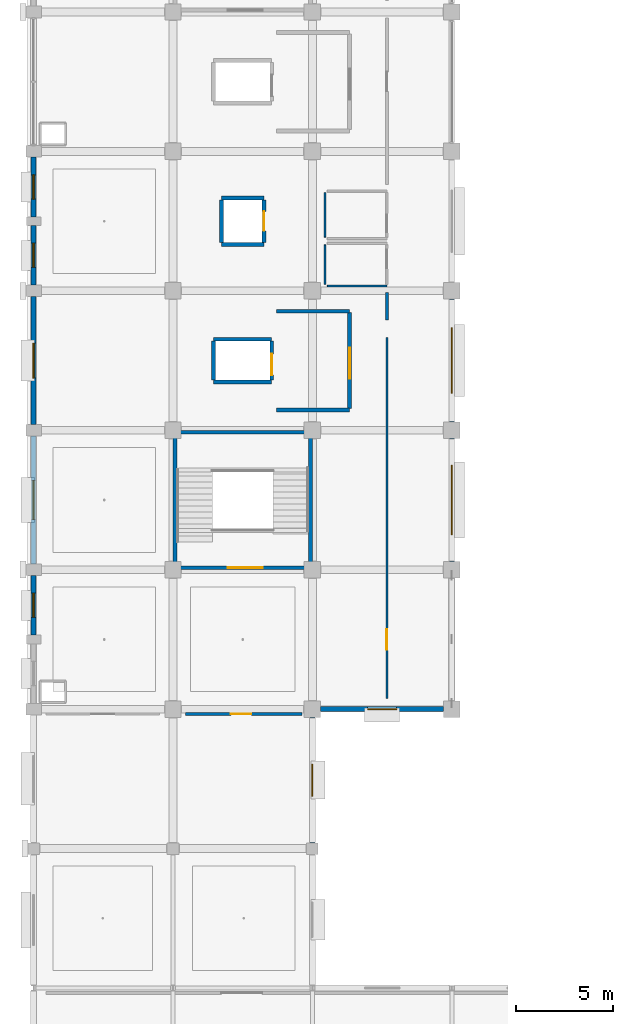
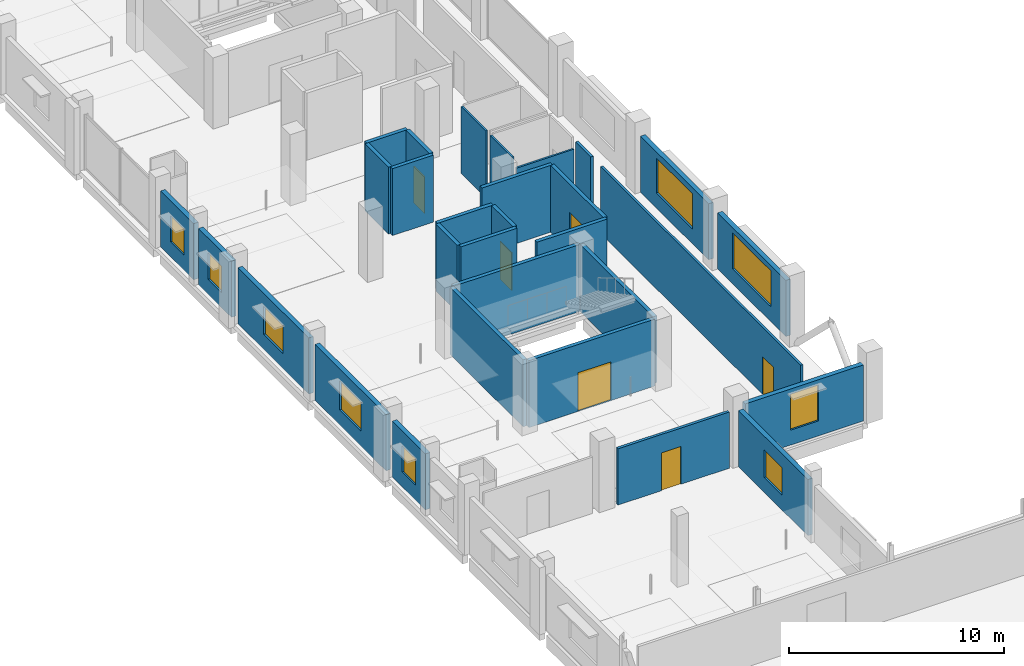
# One storey, part 77 of 107: 30 walls, 9 windows, 6 doors, 15 openings.
"""IFC4 building model written with IfcOpenShell, lengths in metres."""

from ifc_helpers import new_model, si_unit, direction, frame, frame_2d, origin, place, context, subcontext, project, spatial, rectangle, extrude, material, layer, layer_set, type_object, element, fill, save


model = new_model("IFC4")

# Units and contexts
model_context = context("Model", 3, precision=1e-05, world=origin(), true_north=direction((0.0, 1.0)))
body_context = subcontext(model_context, "Body", "Model", "MODEL_VIEW")
ifc_project = project(units=[si_unit("LENGTHUNIT", "METRE"), si_unit("AREAUNIT", "SQUARE_METRE"), si_unit("VOLUMEUNIT", "CUBIC_METRE"), si_unit("PLANEANGLEUNIT", "RADIAN"), si_unit("MASSUNIT", "GRAM", prefix="KILO")], contexts=[model_context])

# Site, building, storey
site_placement = place(None, origin())
site = spatial("IfcSite", under=ifc_project, at=site_placement, CompositionType="ELEMENT")
building_placement = place(site_placement, origin())
building = spatial("IfcBuilding", under=site, at=building_placement, Name="Kangsadwip Square Police Headquarters", CompositionType="ELEMENT")
storey_placement = place(building_placement, frame((0.0, 0.0, 5.39990234375)))
storey = spatial("IfcBuildingStorey", under=building, at=storey_placement, Name="L01", CompositionType="ELEMENT", Elevation=5.39990234375)

# Wall, opening, door
ifc_material_1 = material(Name="Fire-rated double gypsum board acoustic stud partition", Category="masonry")
ifc_layer_1 = layer(ifc_material_1, 0.1201171875)
ifc_layer_set_1 = layer_set([ifc_layer_1], Name="Fire-rated double gypsum board acoustic stud partition")
wall_type_1 = type_object("IfcWallType", Name="AcousticPartition120", PredefinedType="PARTITIONING", material=ifc_layer_set_1)
wall_1_placement = place(storey_placement, frame((18.25, 36.550048828125, 0.0), z_axis=(0.0, 0.0, 1.0), x_axis=(0.0, 1.0, 0.0)))
wall_1 = element("IfcWall", 1, at=wall_1_placement, inside=storey, type_object=wall_type_1, Name="Interior Wall WI-L01-0737", PredefinedType="PARTITIONING", context=body_context, shape_type="SweptSolid", body=[
    extrude(rectangle(XDim=18.64990234375, YDim=0.1201171875, at=frame_2d((9.324951171875, 0.0))), origin(), (0.0, 0.0, 1.0), 3.81005859375),
])
opening_1_placement = place(wall_1_placement, frame((2.512939453125, 0.0, 0.0)))
opening_1 = element("IfcOpeningElement", 2, at=opening_1_placement, cuts=wall_1, Name="Opening ID-10A", PredefinedType="OPENING", context=body_context, shape_type="SweptSolid", body=[
    extrude(rectangle(XDim=1.050048828125, YDim=2.14990234375, at=frame_2d((0.52490234375, 1.074951171875))), frame((0.0, 0.070068359375, 0.0), z_axis=(0.0, -1.0, 0.0), x_axis=(1.0, 0.0, 0.0)), (0.0, 0.0, 1.0), 0.14013671875),
])
ifc_material_2 = material(Name="Solid-core seasoned teak hardwood architectural door", Category="wood")
door_type_1 = type_object("IfcDoorType", Name="OfficeDoor1050x2150", OperationType="NOTDEFINED", PredefinedType="DOOR", material=ifc_material_2)
door_1_placement = place(opening_1_placement, origin())
door_1 = element("IfcDoor", 3, at=door_1_placement, inside=storey, type_object=door_type_1, Name="Interior Door ID-L01-0167", OperationType="SINGLE_SWING_RIGHT", OverallHeight=2.14990234375, OverallWidth=1.050048828125, PredefinedType="DOOR", context=body_context, shape_type="SweptSolid", body=[
    extrude(rectangle(XDim=1.050048828125, YDim=2.14990234375, at=frame_2d((0.52490234375, 1.074951171875))), frame((0.0, 0.02490234375, 0.0), z_axis=(0.0, -1.0, 0.0), x_axis=(1.0, 0.0, 0.0)), (0.0, 0.0, 1.0), 0.050048828125),
])
fill(opening_1, door_1)

# Wall
ifc_material_3 = material(Name="Autoclaved aerated concrete blockwork masonry", Category="masonry")
ifc_layer_2 = layer(ifc_material_3, 0.14990234375)
ifc_layer_set_2 = layer_set([ifc_layer_2], Name="Autoclaved aerated concrete blockwork masonry")
wall_type_2 = type_object("IfcWallType", Name="BlockPartition150", PredefinedType="PARTITIONING", material=ifc_layer_set_2)
wall_2_placement = place(storey_placement, frame((18.25, 56.10009765625, 0.0), z_axis=(0.0, 0.0, 1.0), x_axis=(0.0, 1.0, 0.0)))
element("IfcWall", 4, at=wall_2_placement, inside=storey, type_object=wall_type_2, Name="Interior Wall WI-L01-0739", PredefinedType="PARTITIONING", context=body_context, shape_type="SweptSolid", body=[
    extrude(rectangle(XDim=1.419921875, YDim=0.14990234375, at=frame_2d((0.7099609375, 0.0))), origin(), (0.0, 0.0, 1.0), 3.81005859375),
])

# Wall, opening, door
wall_3_placement = place(storey_placement, frame((7.85009765625, 35.75, 0.0), z_axis=(0.0, 0.0, 1.0), x_axis=(1.0, 0.0, 0.0)))
wall_3 = element("IfcWall", 5, at=wall_3_placement, inside=storey, type_object=wall_type_2, Name="Interior Wall WI-L01-0746", PredefinedType="PARTITIONING", context=body_context, shape_type="SweptSolid", body=[
    extrude(rectangle(XDim=6.0, YDim=0.14990234375, at=frame_2d((3.0, 0.0))), origin(), (0.0, 0.0, 1.0), 3.2001953125),
])
opening_2_placement = place(wall_3_placement, frame((2.343994140625, 0.0, 0.0)))
opening_2 = element("IfcOpeningElement", 6, at=opening_2_placement, cuts=wall_3, Name="Opening ID-10A", PredefinedType="OPENING", context=body_context, shape_type="SweptSolid", body=[
    extrude(rectangle(XDim=1.050048828125, YDim=2.14990234375, at=frame_2d((0.52490234375, 1.074951171875))), frame((0.0, 0.0849609375, 0.0), z_axis=(0.0, -1.0, 0.0), x_axis=(1.0, 0.0, 0.0)), (0.0, 0.0, 1.0), 0.169921875),
])
door_2_placement = place(opening_2_placement, origin())
door_2 = element("IfcDoor", 7, at=door_2_placement, inside=storey, type_object=door_type_1, Name="Interior Door ID-L01-0174", OperationType="SINGLE_SWING_RIGHT", OverallHeight=2.14990234375, OverallWidth=1.050048828125, PredefinedType="DOOR", context=body_context, shape_type="SweptSolid", body=[
    extrude(rectangle(XDim=1.050048828125, YDim=2.14990234375, at=frame_2d((0.52490234375, 1.074951171875))), frame((0.0, 0.02490234375, 0.0), z_axis=(0.0, -1.0, 0.0), x_axis=(1.0, 0.0, 0.0)), (0.0, 0.0, 1.0), 0.050048828125),
])
fill(opening_2, door_2)

# Wall, opening, window
ifc_material_4 = material(Name="Glazed architectural terracotta masonry rainscreen", Category="masonry")
ifc_layer_3 = layer(ifc_material_4, 0.25)
ifc_layer_set_3 = layer_set([ifc_layer_3], Name="Glazed architectural terracotta masonry rainscreen")
wall_type_3 = type_object("IfcWallType", Name="ChicagoTerracottaWall250", PredefinedType="SOLIDWALL", material=ifc_layer_set_3)
wall_4_placement = place(storey_placement, frame((14.820068359375, 36.0, 0.0), z_axis=(0.0, 0.0, 1.0), x_axis=(1.0, 0.0, 0.0)))
wall_4 = element("IfcWall", 8, at=wall_4_placement, inside=storey, type_object=wall_type_3, Name="Exterior Wall WE-L01-231", PredefinedType="SOLIDWALL", context=body_context, shape_type="SweptSolid", body=[
    extrude(rectangle(XDim=6.35986328125, YDim=0.25, at=frame_2d((3.179931640625, 0.0))), origin(), (0.0, 0.0, 1.0), 3.195068359375),
])
opening_3_placement = place(wall_4_placement, frame((2.429931640625, 0.0, 0.85009765625)))
opening_3 = element("IfcOpeningElement", 9, at=opening_3_placement, cuts=wall_4, Name="Opening WN-12", PredefinedType="OPENING", context=body_context, shape_type="SweptSolid", body=[
    extrude(rectangle(XDim=1.5, YDim=2.050048828125, at=frame_2d((0.75, 1.02490234375))), frame((0.0, 0.135009765625, 0.0), z_axis=(0.0, -1.0, 0.0), x_axis=(1.0, 0.0, 0.0)), (0.0, 0.0, 1.0), 0.27001953125),
])
ifc_material_5 = material(Name="Double-glazed solar-control low-E safety glass", Category="glass")
window_type_1 = type_object("IfcWindowType", Name="DirectorateTallWin1500x2050", PartitioningType="SINGLE_PANEL", PredefinedType="WINDOW", material=ifc_material_5)
window_1_placement = place(opening_3_placement, origin())
window_1 = element("IfcWindow", 10, at=window_1_placement, inside=storey, type_object=window_type_1, Name="Window WN-L01-0084", OverallHeight=2.050048828125, OverallWidth=1.5, PartitioningType="SINGLE_PANEL", PredefinedType="WINDOW", context=body_context, shape_type="SweptSolid", body=[
    extrude(rectangle(XDim=1.5, YDim=2.050048828125, at=frame_2d((0.75, 1.02490234375))), frame((0.0, 0.030029296875, 0.0), z_axis=(0.0, -1.0, 0.0), x_axis=(1.0, 0.0, 0.0)), (0.0, 0.0, 1.0), 0.06005859375),
])
fill(opening_3, window_1)

wall_5_placement = place(storey_placement, frame((0.0, 39.820068359375, 0.0), z_axis=(0.0, 0.0, 1.0), x_axis=(0.0, 1.0, 0.0)))
wall_5 = element("IfcWall", 11, at=wall_5_placement, inside=storey, type_object=wall_type_3, Name="Exterior Wall WE-L01-250", PredefinedType="SOLIDWALL", context=body_context, shape_type="SweptSolid", body=[
    extrude(rectangle(XDim=3.0849609375, YDim=0.25, at=frame_2d((1.54248046875, 0.0))), origin(), (0.0, 0.0, 1.0), 3.195068359375),
])
opening_4_placement = place(wall_5_placement, frame((0.91748046875, 0.0, 0.85009765625)))
opening_4 = element("IfcOpeningElement", 12, at=opening_4_placement, cuts=wall_5, Name="Opening WN-14", PredefinedType="OPENING", context=body_context, shape_type="SweptSolid", body=[
    extrude(rectangle(XDim=1.25, YDim=1.5, at=frame_2d((0.625, 0.75))), frame((0.0, 0.135009765625, 0.0), z_axis=(0.0, -1.0, 0.0), x_axis=(1.0, 0.0, 0.0)), (0.0, 0.0, 1.0), 0.27001953125),
])
ifc_material_6 = material(Name="Double-glazed solar-control low-E safety glass", Category="glass")
window_type_2 = type_object("IfcWindowType", Name="OfficeCasementWin1250x1500", PartitioningType="SINGLE_PANEL", PredefinedType="WINDOW", material=ifc_material_6)
window_2_placement = place(opening_4_placement, origin())
window_2 = element("IfcWindow", 13, at=window_2_placement, inside=storey, type_object=window_type_2, Name="Window WN-L01-0103", OverallHeight=1.5, OverallWidth=1.25, PartitioningType="SINGLE_PANEL", PredefinedType="WINDOW", context=body_context, shape_type="SweptSolid", body=[
    extrude(rectangle(XDim=1.25, YDim=1.5, at=frame_2d((0.625, 0.75))), frame((0.0, 0.030029296875, 0.0), z_axis=(0.0, -1.0, 0.0), x_axis=(1.0, 0.0, 0.0)), (0.0, 0.0, 1.0), 0.06005859375),
])
fill(opening_4, window_2)

wall_6_placement = place(storey_placement, frame((0.0, 43.4951171875, 0.0), z_axis=(0.0, 0.0, 1.0), x_axis=(0.0, 1.0, 0.0)))
wall_6 = element("IfcWall", 14, at=wall_6_placement, inside=storey, type_object=wall_type_3, Name="Exterior Wall WE-L01-251", PredefinedType="SOLIDWALL", context=body_context, shape_type="SweptSolid", body=[
    extrude(rectangle(XDim=6.60986328125, YDim=0.25, at=frame_2d((3.304931640625, 0.0))), origin(), (0.0, 0.0, 1.0), 3.195068359375),
])
opening_5_placement = place(wall_6_placement, frame((2.304931640625, 0.0, 0.85009765625)))
opening_5 = element("IfcOpeningElement", 15, at=opening_5_placement, cuts=wall_6, Name="Opening WN-09", PredefinedType="OPENING", context=body_context, shape_type="SweptSolid", body=[
    extrude(rectangle(XDim=2.0, YDim=1.64990234375, at=frame_2d((1.0, 0.824951171875))), frame((0.0, 0.135009765625, 0.0), z_axis=(0.0, -1.0, 0.0), x_axis=(1.0, 0.0, 0.0)), (0.0, 0.0, 1.0), 0.27001953125),
])
ifc_material_7 = material(Name="Double-glazed solar-control low-E safety glass", Category="glass")
window_type_3 = type_object("IfcWindowType", Name="ChicagoDoubleMullWin2000x1650", PartitioningType="DOUBLE_PANEL_VERTICAL", PredefinedType="WINDOW", material=ifc_material_7)
window_3_placement = place(opening_5_placement, origin())
window_3 = element("IfcWindow", 16, at=window_3_placement, inside=storey, type_object=window_type_3, Name="Window WN-L01-0104", OverallHeight=1.64990234375, OverallWidth=2.0, PartitioningType="SINGLE_PANEL", PredefinedType="WINDOW", context=body_context, shape_type="SweptSolid", body=[
    extrude(rectangle(XDim=2.0, YDim=1.64990234375, at=frame_2d((1.0, 0.824951171875))), frame((0.0, 0.030029296875, 0.0), z_axis=(0.0, -1.0, 0.0), x_axis=(1.0, 0.0, 0.0)), (0.0, 0.0, 1.0), 0.06005859375),
])
fill(opening_5, window_3)

wall_7_placement = place(storey_placement, frame((0.0, 50.695068359375, 0.0), z_axis=(0.0, 0.0, 1.0), x_axis=(0.0, 1.0, 0.0)))
wall_7 = element("IfcWall", 17, at=wall_7_placement, inside=storey, type_object=wall_type_3, Name="Exterior Wall WE-L01-252", PredefinedType="SOLIDWALL", context=body_context, shape_type="SweptSolid", body=[
    extrude(rectangle(XDim=6.60986328125, YDim=0.25, at=frame_2d((3.304931640625, 0.0))), origin(), (0.0, 0.0, 1.0), 3.195068359375),
])
opening_6_placement = place(wall_7_placement, frame((2.405029296875, 0.0, 0.85009765625)))
opening_6 = element("IfcOpeningElement", 18, at=opening_6_placement, cuts=wall_7, Name="Opening WN-10", PredefinedType="OPENING", context=body_context, shape_type="SweptSolid", body=[
    extrude(rectangle(XDim=1.800048828125, YDim=1.60009765625, at=frame_2d((0.89990234375, 0.800048828125))), frame((0.0, 0.135009765625, 0.0), z_axis=(0.0, -1.0, 0.0), x_axis=(1.0, 0.0, 0.0)), (0.0, 0.0, 1.0), 0.27001953125),
])
ifc_material_8 = material(Name="Double-glazed solar-control low-E safety glass", Category="glass")
window_type_4 = type_object("IfcWindowType", Name="LabCleanViewWin1800x1600", PartitioningType="DOUBLE_PANEL_VERTICAL", PredefinedType="WINDOW", material=ifc_material_8)
window_4_placement = place(opening_6_placement, origin())
window_4 = element("IfcWindow", 19, at=window_4_placement, inside=storey, type_object=window_type_4, Name="Window WN-L01-0105", OverallHeight=1.60009765625, OverallWidth=1.800048828125, PartitioningType="SINGLE_PANEL", PredefinedType="WINDOW", context=body_context, shape_type="SweptSolid", body=[
    extrude(rectangle(XDim=1.800048828125, YDim=1.60009765625, at=frame_2d((0.89990234375, 0.800048828125))), frame((0.0, 0.030029296875, 0.0), z_axis=(0.0, -1.0, 0.0), x_axis=(1.0, 0.0, 0.0)), (0.0, 0.0, 1.0), 0.06005859375),
])
fill(opening_6, window_4)

wall_8_placement = place(storey_placement, frame((0.0, 57.89501953125, 0.0), z_axis=(0.0, 0.0, 1.0), x_axis=(0.0, 1.0, 0.0)))
wall_8 = element("IfcWall", 20, at=wall_8_placement, inside=storey, type_object=wall_type_3, Name="Exterior Wall WE-L01-253", PredefinedType="SOLIDWALL", context=body_context, shape_type="SweptSolid", body=[
    extrude(rectangle(XDim=3.0849609375, YDim=0.25, at=frame_2d((1.54248046875, 0.0))), origin(), (0.0, 0.0, 1.0), 3.195068359375),
])
opening_7_placement = place(wall_8_placement, frame((0.91748046875, 0.0, 0.85009765625)))
opening_7 = element("IfcOpeningElement", 21, at=opening_7_placement, cuts=wall_8, Name="Opening WN-14", PredefinedType="OPENING", context=body_context, shape_type="SweptSolid", body=[
    extrude(rectangle(XDim=1.25, YDim=1.5, at=frame_2d((0.625, 0.75))), frame((0.0, 0.135009765625, 0.0), z_axis=(0.0, -1.0, 0.0), x_axis=(1.0, 0.0, 0.0)), (0.0, 0.0, 1.0), 0.27001953125),
])
window_5_placement = place(opening_7_placement, origin())
window_5 = element("IfcWindow", 22, at=window_5_placement, inside=storey, type_object=window_type_2, Name="Window WN-L01-0106", OverallHeight=1.5, OverallWidth=1.25, PartitioningType="SINGLE_PANEL", PredefinedType="WINDOW", context=body_context, shape_type="SweptSolid", body=[
    extrude(rectangle(XDim=1.25, YDim=1.5, at=frame_2d((0.625, 0.75))), frame((0.0, 0.030029296875, 0.0), z_axis=(0.0, -1.0, 0.0), x_axis=(1.0, 0.0, 0.0)), (0.0, 0.0, 1.0), 0.06005859375),
])
fill(opening_7, window_5)

wall_9_placement = place(storey_placement, frame((0.0, 61.419921875, 0.0), z_axis=(0.0, 0.0, 1.0), x_axis=(0.0, 1.0, 0.0)))
wall_9 = element("IfcWall", 23, at=wall_9_placement, inside=storey, type_object=wall_type_3, Name="Exterior Wall WE-L01-254", PredefinedType="SOLIDWALL", context=body_context, shape_type="SweptSolid", body=[
    extrude(rectangle(XDim=3.0849609375, YDim=0.25, at=frame_2d((1.54248046875, 0.0))), origin(), (0.0, 0.0, 1.0), 3.195068359375),
])
opening_8_placement = place(wall_9_placement, frame((0.91748046875, 0.0, 0.85009765625)))
opening_8 = element("IfcOpeningElement", 24, at=opening_8_placement, cuts=wall_9, Name="Opening WN-14", PredefinedType="OPENING", context=body_context, shape_type="SweptSolid", body=[
    extrude(rectangle(XDim=1.25, YDim=1.5, at=frame_2d((0.625, 0.75))), frame((0.0, 0.135009765625, 0.0), z_axis=(0.0, -1.0, 0.0), x_axis=(1.0, 0.0, 0.0)), (0.0, 0.0, 1.0), 0.27001953125),
])
window_6_placement = place(opening_8_placement, origin())
window_6 = element("IfcWindow", 25, at=window_6_placement, inside=storey, type_object=window_type_2, Name="Window WN-L01-0107", OverallHeight=1.5, OverallWidth=1.25, PartitioningType="SINGLE_PANEL", PredefinedType="WINDOW", context=body_context, shape_type="SweptSolid", body=[
    extrude(rectangle(XDim=1.25, YDim=1.5, at=frame_2d((0.625, 0.75))), frame((0.0, 0.030029296875, 0.0), z_axis=(0.0, -1.0, 0.0), x_axis=(1.0, 0.0, 0.0)), (0.0, 0.0, 1.0), 0.06005859375),
])
fill(opening_8, window_6)

wall_10_placement = place(storey_placement, frame((14.39990234375, 29.094970703125, 0.0), z_axis=(0.0, 0.0, 1.0), x_axis=(0.0, 1.0, 0.0)))
wall_10 = element("IfcWall", 26, at=wall_10_placement, inside=storey, type_object=wall_type_3, Name="Exterior Wall WE-L01-262", PredefinedType="SOLIDWALL", context=body_context, shape_type="SweptSolid", body=[
    extrude(rectangle(XDim=6.485107421875, YDim=0.25, at=frame_2d((3.24267578125, 0.0))), origin(), (0.0, 0.0, 1.0), 3.195068359375),
])
opening_9_placement = place(wall_10_placement, frame((2.41748046875, 0.0, 0.85009765625)))
opening_9 = element("IfcOpeningElement", 27, at=opening_9_placement, cuts=wall_10, Name="Opening WN-11", PredefinedType="OPENING", context=body_context, shape_type="SweptSolid", body=[
    extrude(rectangle(XDim=1.64990234375, YDim=1.550048828125, at=frame_2d((0.824951171875, 0.77490234375))), frame((0.0, 0.135009765625, 0.0), z_axis=(0.0, -1.0, 0.0), x_axis=(1.0, 0.0, 0.0)), (0.0, 0.0, 1.0), 0.27001953125),
])
ifc_material_9 = material(Name="Double-glazed solar-control low-E safety glass", Category="glass")
window_type_5 = type_object("IfcWindowType", Name="LabCleanViewWin1650x1550", PartitioningType="SINGLE_PANEL", PredefinedType="WINDOW", material=ifc_material_9)
window_7_placement = place(opening_9_placement, origin())
window_7 = element("IfcWindow", 28, at=window_7_placement, inside=storey, type_object=window_type_5, Name="Window WN-L01-0115", OverallHeight=1.550048828125, OverallWidth=1.64990234375, PartitioningType="SINGLE_PANEL", PredefinedType="WINDOW", context=body_context, shape_type="SweptSolid", body=[
    extrude(rectangle(XDim=1.64990234375, YDim=1.550048828125, at=frame_2d((0.824951171875, 0.77490234375))), frame((0.0, 0.030029296875, 0.0), z_axis=(0.0, -1.0, 0.0), x_axis=(1.0, 0.0, 0.0)), (0.0, 0.0, 1.0), 0.06005859375),
])
fill(opening_9, window_7)

wall_11_placement = place(storey_placement, frame((21.60009765625, 43.6201171875, 0.0), z_axis=(0.0, 0.0, 1.0), x_axis=(0.0, 1.0, 0.0)))
wall_11 = element("IfcWall", 29, at=wall_11_placement, inside=storey, type_object=wall_type_3, Name="Exterior Wall WE-L01-263", PredefinedType="SOLIDWALL", context=body_context, shape_type="SweptSolid", body=[
    extrude(rectangle(XDim=6.35986328125, YDim=0.25, at=frame_2d((3.179931640625, 0.0))), origin(), (0.0, 0.0, 1.0), 3.195068359375),
])
opening_10_placement = place(wall_11_placement, frame((1.3798828125, 0.0, 0.85009765625)))
opening_10 = element("IfcOpeningElement", 30, at=opening_10_placement, cuts=wall_11, Name="Opening WN-01", PredefinedType="OPENING", context=body_context, shape_type="SweptSolid", body=[
    extrude(rectangle(XDim=3.60009765625, YDim=2.050048828125, at=frame_2d((1.800048828125, 1.02490234375))), frame((0.0, 0.135009765625, 0.0), z_axis=(0.0, -1.0, 0.0), x_axis=(1.0, 0.0, 0.0)), (0.0, 0.0, 1.0), 0.27001953125),
])
ifc_material_10 = material(Name="Double-glazed solar-control low-E safety glass", Category="glass")
window_type_6 = type_object("IfcWindowType", Name="ChicagoTripartiteWin3600x2050", PartitioningType="TRIPLE_PANEL_HORIZONTAL", PredefinedType="WINDOW", material=ifc_material_10)
window_8_placement = place(opening_10_placement, origin())
window_8 = element("IfcWindow", 31, at=window_8_placement, inside=storey, type_object=window_type_6, Name="Window WN-L01-0116", OverallHeight=2.050048828125, OverallWidth=3.60009765625, PartitioningType="SINGLE_PANEL", PredefinedType="WINDOW", context=body_context, shape_type="SweptSolid", body=[
    extrude(rectangle(XDim=3.60009765625, YDim=2.050048828125, at=frame_2d((1.800048828125, 1.02490234375))), frame((0.0, 0.030029296875, 0.0), z_axis=(0.0, -1.0, 0.0), x_axis=(1.0, 0.0, 0.0)), (0.0, 0.0, 1.0), 0.06005859375),
])
fill(opening_10, window_8)

wall_12_placement = place(storey_placement, frame((21.60009765625, 50.820068359375, 0.0), z_axis=(0.0, 0.0, 1.0), x_axis=(0.0, 1.0, 0.0)))
wall_12 = element("IfcWall", 32, at=wall_12_placement, inside=storey, type_object=wall_type_3, Name="Exterior Wall WE-L01-264", PredefinedType="SOLIDWALL", context=body_context, shape_type="SweptSolid", body=[
    extrude(rectangle(XDim=6.35986328125, YDim=0.25, at=frame_2d((3.179931640625, 0.0))), origin(), (0.0, 0.0, 1.0), 3.195068359375),
])
opening_11_placement = place(wall_12_placement, frame((1.47998046875, 0.0, 0.85009765625)))
opening_11 = element("IfcOpeningElement", 33, at=opening_11_placement, cuts=wall_12, Name="Opening WN-02", PredefinedType="OPENING", context=body_context, shape_type="SweptSolid", body=[
    extrude(rectangle(XDim=3.39990234375, YDim=2.0, at=frame_2d((1.699951171875, 1.0))), frame((0.0, 0.135009765625, 0.0), z_axis=(0.0, -1.0, 0.0), x_axis=(1.0, 0.0, 0.0)), (0.0, 0.0, 1.0), 0.27001953125),
])
ifc_material_11 = material(Name="Double-glazed solar-control low-E safety glass", Category="glass")
window_type_7 = type_object("IfcWindowType", Name="ChicagoTripartiteWin3400x2000", PartitioningType="TRIPLE_PANEL_HORIZONTAL", PredefinedType="WINDOW", material=ifc_material_11)
window_9_placement = place(opening_11_placement, origin())
window_9 = element("IfcWindow", 34, at=window_9_placement, inside=storey, type_object=window_type_7, Name="Window WN-L01-0117", OverallHeight=2.0, OverallWidth=3.39990234375, PartitioningType="SINGLE_PANEL", PredefinedType="WINDOW", context=body_context, shape_type="SweptSolid", body=[
    extrude(rectangle(XDim=3.39990234375, YDim=2.0, at=frame_2d((1.699951171875, 1.0))), frame((0.0, 0.030029296875, 0.0), z_axis=(0.0, -1.0, 0.0), x_axis=(1.0, 0.0, 0.0)), (0.0, 0.0, 1.0), 0.06005859375),
])
fill(opening_11, window_9)

# Wall, opening, door
ifc_material_12 = material(Name="Concrete M40 (40 MPa)", Category="concrete")
ifc_layer_4 = layer(ifc_material_12, 0.199951171875)
ifc_layer_set_4 = layer_set([ifc_layer_4], Name="Concrete M40 (40 MPa)")
wall_type_4 = type_object("IfcWallType", Name="CoreShearWall200", PredefinedType="SHEAR", material=ifc_layer_set_4)
wall_13_placement = place(storey_placement, frame((7.39990234375, 43.300048828125, 0.0), z_axis=(0.0, 0.0, 1.0), x_axis=(1.0, 0.0, 0.0)))
wall_13 = element("IfcWall", 35, at=wall_13_placement, inside=storey, type_object=wall_type_4, Name="Interior Wall WI-L01-0017", PredefinedType="SHEAR", context=body_context, shape_type="SweptSolid", body=[
    extrude(rectangle(XDim=6.800048828125, YDim=0.199951171875, at=frame_2d((3.39990234375, 0.0))), origin(), (0.0, 0.0, 1.0), 3.81005859375),
])
opening_12_placement = place(wall_13_placement, frame((2.632080078125, 0.0, 0.0)))
opening_12 = element("IfcOpeningElement", 36, at=opening_12_placement, cuts=wall_13, Name="Opening FD-18", PredefinedType="OPENING", context=body_context, shape_type="SweptSolid", body=[
    extrude(rectangle(XDim=1.800048828125, YDim=2.199951171875, at=frame_2d((0.89990234375, 1.10009765625))), frame((0.0, 0.10986328125, 0.0), z_axis=(0.0, -1.0, 0.0), x_axis=(1.0, 0.0, 0.0)), (0.0, 0.0, 1.0), 0.219970703125),
])
ifc_material_13 = material(Name="Insulated galvanized steel fire-rated door assembly", Category="steel")
door_type_2 = type_object("IfcDoorType", Name="StairFireDoor1800x2200", OperationType="DOUBLE_DOOR_SINGLE_SWING", PredefinedType="DOOR", material=ifc_material_13)
door_3_placement = place(opening_12_placement, origin())
door_3 = element("IfcDoor", 37, at=door_3_placement, inside=storey, type_object=door_type_2, Name="Interior Door ID-L01-0003", OperationType="DOUBLE_DOOR_SINGLE_SWING", OverallHeight=2.199951171875, OverallWidth=1.800048828125, PredefinedType="DOOR", context=body_context, shape_type="SweptSolid", body=[
    extrude(rectangle(XDim=1.800048828125, YDim=2.199951171875, at=frame_2d((0.89990234375, 1.10009765625))), frame((0.0, 0.02490234375, 0.0), z_axis=(0.0, -1.0, 0.0), x_axis=(1.0, 0.0, 0.0)), (0.0, 0.0, 1.0), 0.050048828125),
])
fill(opening_12, door_3)

# Walls
for number, where, z_axis, x_axis, name in (
    (38, (7.39990234375, 50.300048828125, 0.0), (0.0, 0.0, 1.0), (1.0, 0.0, 0.0), "Interior Wall WI-L01-0018"),
    (39, (7.300048828125, 43.39990234375, 0.0), (0.0, 0.0, 1.0), (0.0, 1.0, 0.0), "Interior Wall WI-L01-0019"),
    (40, (14.300048828125, 43.39990234375, 0.0), (0.0, 0.0, 1.0), (0.0, 1.0, 0.0), "Interior Wall WI-L01-0020"),
):
    element("IfcWall", number, at=place(storey_placement, frame(where, z_axis=z_axis, x_axis=x_axis)), inside=storey, type_object=wall_type_4, Name=name, PredefinedType="SHEAR", context=body_context, shape_type="SweptSolid", body=[
        extrude(rectangle(XDim=6.800048828125, YDim=0.199951171875, at=frame_2d((3.39990234375, 0.0))), origin(), (0.0, 0.0, 1.0), 3.81005859375),
    ])
for number, where, z_axis, x_axis, name in (
    (41, (9.300048828125, 52.89990234375, 0.0), (0.0, 0.0, 1.0), (1.0, 0.0, 0.0), "Interior Wall WI-L01-0239"),
    (42, (9.300048828125, 55.10009765625, 0.0), (0.0, 0.0, 1.0), (1.0, 0.0, 0.0), "Interior Wall WI-L01-0240"),
):
    element("IfcWall", number, at=place(storey_placement, frame(where, z_axis=z_axis, x_axis=x_axis)), inside=storey, type_object=wall_type_4, Name=name, PredefinedType="SHEAR", context=body_context, shape_type="SweptSolid", body=[
        extrude(rectangle(XDim=3.0, YDim=0.199951171875, at=frame_2d((1.5, 0.0))), origin(), (0.0, 0.0, 1.0), 3.81005859375),
    ])
wall_14_placement = place(storey_placement, frame((9.300048828125, 53.0, 0.0), z_axis=(0.0, 0.0, 1.0), x_axis=(0.0, 1.0, 0.0)))
element("IfcWall", 43, at=wall_14_placement, inside=storey, type_object=wall_type_4, Name="Interior Wall WI-L01-0241", PredefinedType="SHEAR", context=body_context, shape_type="SweptSolid", body=[
    extrude(rectangle(XDim=2.0, YDim=0.199951171875, at=frame_2d((1.0, 0.0))), origin(), (0.0, 0.0, 1.0), 3.81005859375),
])

# Wall, opening, door
wall_15_placement = place(storey_placement, frame((12.300048828125, 53.0, 0.0), z_axis=(0.0, 0.0, 1.0), x_axis=(0.0, 1.0, 0.0)))
wall_15 = element("IfcWall", 44, at=wall_15_placement, inside=storey, type_object=wall_type_4, Name="Interior Wall WI-L01-0242", PredefinedType="SHEAR", context=body_context, shape_type="SweptSolid", body=[
    extrude(rectangle(XDim=2.0, YDim=0.199951171875, at=frame_2d((1.0, 0.0))), origin(), (0.0, 0.0, 1.0), 3.81005859375),
])
opening_13_placement = place(wall_15_placement, frame((0.25, 0.0, 0.0)))
opening_13 = element("IfcOpeningElement", 45, at=opening_13_placement, cuts=wall_15, Name="Opening LD-003", PredefinedType="OPENING", context=body_context, shape_type="SweptSolid", body=[
    extrude(rectangle(XDim=1.10009765625, YDim=2.14990234375, at=frame_2d((0.550048828125, 1.074951171875))), frame((0.0, 0.10986328125, 0.0), z_axis=(0.0, -1.0, 0.0), x_axis=(1.0, 0.0, 0.0)), (0.0, 0.0, 1.0), 0.219970703125),
])
ifc_material_14 = material(Name="Brushed stainless steel automatic sliding lift landing door", Category="steel")
door_type_3 = type_object("IfcDoorType", Name="LiftLandingDoor1100x2150", OperationType="DOUBLE_DOOR_SLIDING", PredefinedType="DOOR", material=ifc_material_14)
door_4_placement = place(opening_13_placement, origin())
door_4 = element("IfcDoor", 46, at=door_4_placement, inside=storey, type_object=door_type_3, Name="Interior Door LD-003", OperationType="DOUBLE_DOOR_SLIDING", OverallHeight=2.14990234375, OverallWidth=1.10009765625, PredefinedType="DOOR", context=body_context, shape_type="SweptSolid", body=[
    extrude(rectangle(XDim=1.10009765625, YDim=2.14990234375, at=frame_2d((0.550048828125, 1.074951171875))), frame((0.0, 0.02490234375, 0.0), z_axis=(0.0, -1.0, 0.0), x_axis=(1.0, 0.0, 0.0)), (0.0, 0.0, 1.0), 0.050048828125),
])
fill(opening_13, door_4)

# Walls
for number, where, z_axis, x_axis, name in (
    (47, (9.699951171875, 60.0, 0.0), (0.0, 0.0, 1.0), (1.0, 0.0, 0.0), "Interior Wall WI-L01-0355"),
    (48, (9.699951171875, 62.39990234375, 0.0), (0.0, 0.0, 1.0), (1.0, 0.0, 0.0), "Interior Wall WI-L01-0356"),
    (49, (9.699951171875, 60.10009765625, 0.0), (0.0, 0.0, 1.0), (0.0, 1.0, 0.0), "Interior Wall WI-L01-0357"),
):
    element("IfcWall", number, at=place(storey_placement, frame(where, z_axis=z_axis, x_axis=x_axis)), inside=storey, type_object=wall_type_4, Name=name, PredefinedType="SHEAR", context=body_context, shape_type="SweptSolid", body=[
        extrude(rectangle(XDim=2.199951171875, YDim=0.199951171875, at=frame_2d((1.10009765625, 0.0))), origin(), (0.0, 0.0, 1.0), 3.81005859375),
    ])

# Wall, opening, door
wall_16_placement = place(storey_placement, frame((11.89990234375, 60.10009765625, 0.0), z_axis=(0.0, 0.0, 1.0), x_axis=(0.0, 1.0, 0.0)))
wall_16 = element("IfcWall", 50, at=wall_16_placement, inside=storey, type_object=wall_type_4, Name="Interior Wall WI-L01-0358", PredefinedType="SHEAR", context=body_context, shape_type="SweptSolid", body=[
    extrude(rectangle(XDim=2.199951171875, YDim=0.199951171875, at=frame_2d((1.10009765625, 0.0))), origin(), (0.0, 0.0, 1.0), 3.81005859375),
])
opening_14_placement = place(wall_16_placement, frame((0.60009765625, 0.0, 0.0)))
opening_14 = element("IfcOpeningElement", 51, at=opening_14_placement, cuts=wall_16, Name="Opening LD-029", PredefinedType="OPENING", context=body_context, shape_type="SweptSolid", body=[
    extrude(rectangle(XDim=1.0, YDim=2.10009765625, at=frame_2d((0.5, 1.050048828125))), frame((0.0, 0.10986328125, 0.0), z_axis=(0.0, -1.0, 0.0), x_axis=(1.0, 0.0, 0.0)), (0.0, 0.0, 1.0), 0.219970703125),
])
ifc_material_15 = material(Name="Brushed stainless steel automatic sliding lift landing door", Category="steel")
door_type_4 = type_object("IfcDoorType", Name="LiftLandingDoor1000x2100", OperationType="DOUBLE_DOOR_SLIDING", PredefinedType="DOOR", material=ifc_material_15)
door_5_placement = place(opening_14_placement, origin())
door_5 = element("IfcDoor", 52, at=door_5_placement, inside=storey, type_object=door_type_4, Name="Interior Door LD-029", OperationType="DOUBLE_DOOR_SLIDING", OverallHeight=2.10009765625, OverallWidth=1.0, PredefinedType="DOOR", context=body_context, shape_type="SweptSolid", body=[
    extrude(rectangle(XDim=1.0, YDim=2.10009765625, at=frame_2d((0.5, 1.050048828125))), frame((0.0, 0.02490234375, 0.0), z_axis=(0.0, -1.0, 0.0), x_axis=(1.0, 0.0, 0.0)), (0.0, 0.0, 1.0), 0.050048828125),
])
fill(opening_14, door_5)

ifc_material_16 = material(Name="Concrete M40 (40 MPa)", Category="concrete")
ifc_layer_5 = layer(ifc_material_16, 0.199951171875)
ifc_layer_set_5 = layer_set([ifc_layer_5], Name="Concrete M40 (40 MPa)")
wall_type_5 = type_object("IfcWallType", Name="CustodySecurityWall200", PredefinedType="SOLIDWALL", material=ifc_layer_set_5)
wall_17_placement = place(storey_placement, frame((16.320068359375, 51.530029296875, 0.0), z_axis=(0.0, 0.0, 1.0), x_axis=(0.0, 1.0, 0.0)))
wall_17 = element("IfcWall", 53, at=wall_17_placement, inside=storey, type_object=wall_type_5, Name="Interior Wall WI-L01-0709", PredefinedType="SOLIDWALL", context=body_context, shape_type="SweptSolid", body=[
    extrude(rectangle(XDim=4.93994140625, YDim=0.199951171875, at=frame_2d((2.469970703125, 0.0))), origin(), (0.0, 0.0, 1.0), 3.81005859375),
])
opening_15_placement = place(wall_17_placement, frame((1.541015625, 0.0, 0.0)))
opening_15 = element("IfcOpeningElement", 54, at=opening_15_placement, cuts=wall_17, Name="Opening FD-16", PredefinedType="OPENING", context=body_context, shape_type="SweptSolid", body=[
    extrude(rectangle(XDim=1.60009765625, YDim=2.199951171875, at=frame_2d((0.800048828125, 1.10009765625))), frame((0.0, 0.10986328125, 0.0), z_axis=(0.0, -1.0, 0.0), x_axis=(1.0, 0.0, 0.0)), (0.0, 0.0, 1.0), 0.219970703125),
])
ifc_material_17 = material(Name="Insulated galvanized steel fire-rated door assembly", Category="steel")
door_type_5 = type_object("IfcDoorType", Name="FfLobbyFireDoor1600x2200", OperationType="DOUBLE_DOOR_SINGLE_SWING", PredefinedType="DOOR", material=ifc_material_17)
door_6_placement = place(opening_15_placement, origin())
door_6 = element("IfcDoor", 55, at=door_6_placement, inside=storey, type_object=door_type_5, Name="Interior Door ID-L01-0154", OperationType="DOUBLE_DOOR_SINGLE_SWING", OverallHeight=2.199951171875, OverallWidth=1.60009765625, PredefinedType="DOOR", context=body_context, shape_type="SweptSolid", body=[
    extrude(rectangle(XDim=1.60009765625, YDim=2.199951171875, at=frame_2d((0.800048828125, 1.10009765625))), frame((0.0, 0.02490234375, 0.0), z_axis=(0.0, -1.0, 0.0), x_axis=(1.0, 0.0, 0.0)), (0.0, 0.0, 1.0), 0.050048828125),
])
fill(opening_15, door_6)

# Walls
for number, where, z_axis, x_axis, name in (
    (56, (12.5400390625, 51.449951171875, 0.0), (0.0, 0.0, 1.0), (1.0, 0.0, 0.0), "Interior Wall WI-L01-0710"),
    (57, (12.5400390625, 56.550048828125, 0.0), (0.0, 0.0, 1.0), (1.0, 0.0, 0.0), "Interior Wall WI-L01-0711"),
):
    element("IfcWall", number, at=place(storey_placement, frame(where, z_axis=z_axis, x_axis=x_axis)), inside=storey, type_object=wall_type_5, Name=name, PredefinedType="SOLIDWALL", context=body_context, shape_type="SweptSolid", body=[
        extrude(rectangle(XDim=3.780029296875, YDim=0.199951171875, at=frame_2d((1.89013671875, 0.0))), origin(), (0.0, 0.0, 1.0), 3.81005859375),
    ])
ifc_material_18 = material(Name="Autoclaved aerated concrete blockwork masonry", Category="masonry")
ifc_layer_6 = layer(ifc_material_18, 0.10009765625)
ifc_layer_set_6 = layer_set([ifc_layer_6], Name="Autoclaved aerated concrete blockwork masonry")
wall_type_6 = type_object("IfcWallType", Name="WetWallPartition100", PredefinedType="PARTITIONING", material=ifc_layer_set_6)
wall_18_placement = place(storey_placement, frame((15.169921875, 57.85009765625, 0.0), z_axis=(0.0, 0.0, 1.0), x_axis=(1.0, 0.0, 0.0)))
element("IfcWall", 58, at=wall_18_placement, inside=storey, type_object=wall_type_6, Name="Interior Wall WI-L01-0719", PredefinedType="PARTITIONING", context=body_context, shape_type="SweptSolid", body=[
    extrude(rectangle(XDim=3.080078125, YDim=0.10009765625, at=frame_2d((1.5400390625, 0.0))), origin(), (0.0, 0.0, 1.0), 3.2001953125),
])
wall_19_placement = place(storey_placement, frame((15.050048828125, 57.929931640625, 0.0), z_axis=(0.0, 0.0, 1.0), x_axis=(0.0, 1.0, 0.0)))
element("IfcWall", 59, at=wall_19_placement, inside=storey, type_object=wall_type_6, Name="Interior Wall WI-L01-0721", PredefinedType="PARTITIONING", context=body_context, shape_type="SweptSolid", body=[
    extrude(rectangle(XDim=2.0400390625, YDim=0.10009765625, at=frame_2d((1.02001953125, 0.0))), origin(), (0.0, 0.0, 1.0), 3.81005859375),
])
wall_20_placement = place(storey_placement, frame((15.050048828125, 60.3798828125, 0.0), z_axis=(0.0, 0.0, 1.0), x_axis=(0.0, 1.0, 0.0)))
element("IfcWall", 60, at=wall_20_placement, inside=storey, type_object=wall_type_6, Name="Interior Wall WI-L01-0725", PredefinedType="PARTITIONING", context=body_context, shape_type="SweptSolid", body=[
    extrude(rectangle(XDim=2.2900390625, YDim=0.10009765625, at=frame_2d((1.14501953125, 0.0))), origin(), (0.0, 0.0, 1.0), 3.81005859375),
])

save(model, "model.ifc")
